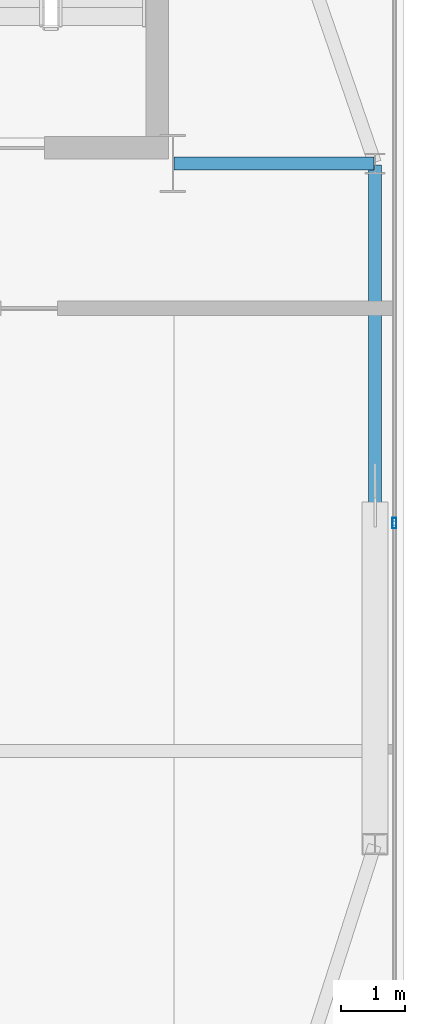
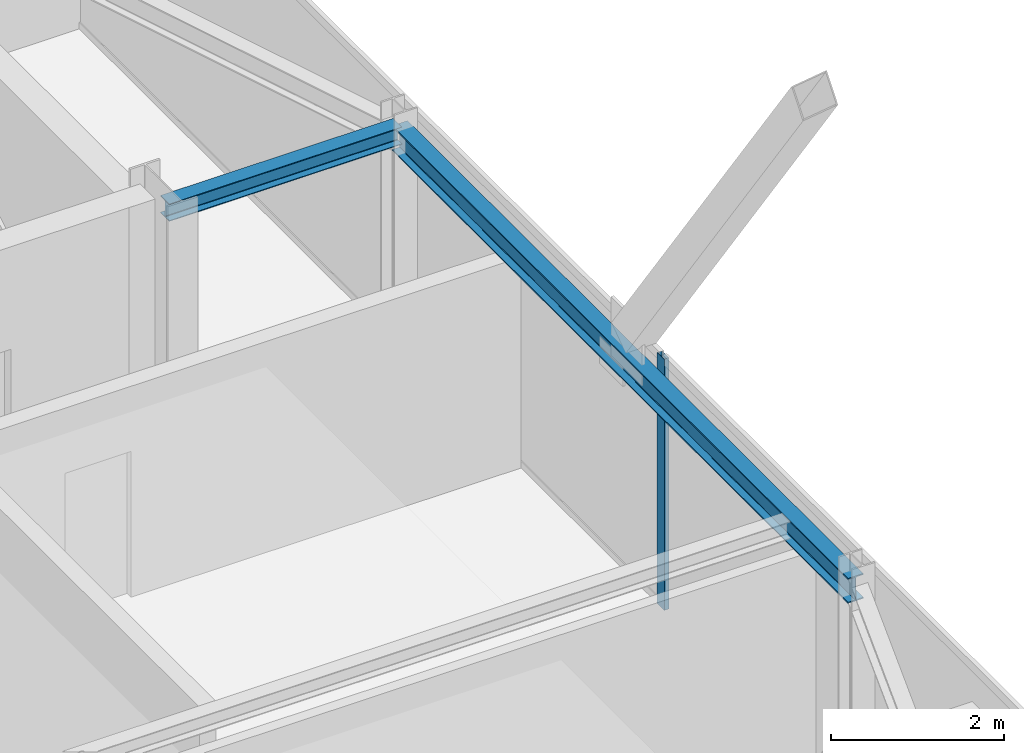
# One storey, part 16 of 24: 2 beams, 1 member, 1 element without a shape of its own.
"""IFC4 building model written with IfcOpenShell, lengths in metres."""

from ifc_helpers import new_model, si_unit, direction, frame, origin, origin_2d, place, context, subcontext, project, spatial, hollow_rectangle, i_section, extrude, source, transform, mapped, material, layer, layer_set, material_profile, profile_set, type_object, type_shapes, element, aggregate, save


model = new_model("IFC4")

# Units and contexts
model_context = context("Model", 3, precision=1e-05, world=origin(), true_north=direction((0.0, 1.0)))
body_context = subcontext(model_context, "Body", "Model", "MODEL_VIEW")
ifc_project = project(units=[si_unit("LENGTHUNIT", "METRE"), si_unit("AREAUNIT", "SQUARE_METRE"), si_unit("VOLUMEUNIT", "CUBIC_METRE"), si_unit("PLANEANGLEUNIT", "RADIAN"), si_unit("MASSUNIT", "GRAM", prefix="KILO")], contexts=[model_context])

# Site, building, storey
site_placement = place(None, origin())
site = spatial("IfcSite", under=ifc_project, at=site_placement, CompositionType="ELEMENT")
building_placement = place(site_placement, origin())
building = spatial("IfcBuilding", under=site, at=building_placement, Name="Varnel Quay Broadcast Tower", CompositionType="ELEMENT")
storey_placement = place(building_placement, frame((0.0, 0.0, 277.39990234375)))
storey = spatial("IfcBuildingStorey", under=building, at=storey_placement, Name="L69", CompositionType="ELEMENT", Elevation=277.39990234375)

# Beams
ifc_material_1 = material(Name="Structural Steel CSA G40.21 350W", Category="steel")
ifc_material_profile_1 = material_profile(ifc_material_1, i_section(OverallWidth=0.205078125, OverallDepth=0.35400390625, WebThickness=0.009521484375, FlangeThickness=0.016845703125, FilletRadius=0.012939453125, at=origin_2d()), Name="W360X79")
ifc_profile_set_1 = profile_set([ifc_material_profile_1], Name="Structural Steel CSA G40.21 350W")
beam_type_1 = type_object("IfcBeamType", Name="Beam_W360X79", PredefinedType="SPANDREL", material=ifc_profile_set_1)
shared_shape_1 = source(origin(), body_context, "Body", "SweptSolid", [
    extrude(i_section(OverallWidth=0.205078125, OverallDepth=0.35400390625, WebThickness=0.009521484375, FlangeThickness=0.016845703125, FilletRadius=0.012939453125, at=origin_2d()), origin(), (0.0, 0.0, 1.0), 10.56005859375),
])
type_shapes(beam_type_1, [shared_shape_1])
beam_1_placement = place(storey_placement, frame((55.550048828125, 25.02001953125, 3.373046875), z_axis=(0.0, 1.0, 0.0), x_axis=(-1.0, 0.0, 0.0)))
element("IfcBeam", 1, at=beam_1_placement, inside=storey, type_object=beam_type_1, Name="L69 East Spandrel TC-E1-TC-E2", PredefinedType="SPANDREL", context=body_context, shape_type="MappedRepresentation", body=[
    mapped(shared_shape_1, transform((0.0, 0.0, 0.0), x_axis=(1.0, 0.0, 0.0), y_axis=(0.0, 1.0, 0.0), z_axis=(0.0, 0.0, 1.0), scale=1.0)),
])
ifc_material_profile_2 = material_profile(ifc_material_1, i_section(OverallWidth=0.201904296875, OverallDepth=0.2470703125, WebThickness=0.00732421875, FlangeThickness=0.010986328125, FilletRadius=0.010986328125, at=origin_2d()), Name="W250X49")
ifc_profile_set_2 = profile_set([ifc_material_profile_2], Name="Structural Steel CSA G40.21 350W")
beam_type_2 = type_object("IfcBeamType", Name="Beam_W250X49", PredefinedType="JOIST", material=ifc_profile_set_2)
shared_shape_2 = source(origin(), body_context, "Body", "SweptSolid", [
    extrude(i_section(OverallWidth=0.201904296875, OverallDepth=0.2470703125, WebThickness=0.00732421875, FlangeThickness=0.010986328125, FilletRadius=0.010986328125, at=origin_2d()), origin(), (0.0, 0.0, 1.0), 3.110107421875),
])
type_shapes(beam_type_2, [shared_shape_2])
beam_2_placement = place(storey_placement, frame((52.419921875, 35.60009765625, 3.426513671875), z_axis=(1.0, 0.0, 0.0), x_axis=(0.0, 1.0, 0.0)))
element("IfcBeam", 2, at=beam_2_placement, inside=storey, type_object=beam_type_2, Name="L69 East Core Tie Joist", PredefinedType="JOIST", context=body_context, shape_type="MappedRepresentation", body=[
    mapped(shared_shape_2, transform((0.0, 0.0, 0.0), x_axis=(1.0, 0.0, 0.0), y_axis=(0.0, 1.0, 0.0), z_axis=(0.0, 0.0, 1.0), scale=1.0)),
])

# Curtain wall, member
ifc_material_2 = material(Name="Anodised Bronze Aluminium 6063-T6", Category="aluminium")
ifc_layer = layer(ifc_material_2, 0.18994140625, Name="Anodised Bronze Aluminium 6063-T6")
ifc_layer_set = layer_set([ifc_layer], Name="Anodised Bronze Aluminium 6063-T6")
curtain_wall_type = type_object("IfcCurtainWallType", Name="CW_UpperTower", PredefinedType="NOTDEFINED", material=ifc_layer_set)
curtain_wall_placement = place(storey_placement, origin())
curtain_wall = element("IfcCurtainWall", 3, at=curtain_wall_placement, inside=storey, type_object=curtain_wall_type, Name="L69 East Unitised Curtain Wall", PredefinedType="NOTDEFINED")
ifc_material_profile_3 = material_profile(ifc_material_2, hollow_rectangle(XDim=0.06494140625, YDim=0.1650390625, WallThickness=0.00341796875, at=origin_2d()), Name="ALU65X165X3.5")
ifc_profile_set_3 = profile_set([ifc_material_profile_3], Name="Anodised Bronze Aluminium 6063-T6")
member_type = type_object("IfcMemberType", Name="Mull_CWS-03", PredefinedType="MULLION", material=ifc_profile_set_3)
shared_shape_3 = source(origin(), body_context, "Body", "SweptSolid", [
    extrude(hollow_rectangle(XDim=0.06494140625, YDim=0.1650390625, WallThickness=0.00341796875, at=origin_2d()), origin(), (0.0, 0.0, 1.0), 3.550048828125),
])
type_shapes(member_type, [shared_shape_3])
member_placement = place(storey_placement, frame((55.85009765625, 30.0, 0.0), z_axis=(0.0, 0.0, 1.0), x_axis=(-1.0, 0.0, 0.0)))
member = element("IfcMember", 4, at=member_placement, type_object=member_type, Name="CWS-03 mullion 2", PredefinedType="MULLION", context=body_context, shape_type="MappedRepresentation", body=[
    mapped(shared_shape_3, transform((0.0, 0.0, 0.0), x_axis=(1.0, 0.0, 0.0), y_axis=(0.0, 1.0, 0.0), z_axis=(0.0, 0.0, 1.0), scale=1.0)),
])
aggregate(curtain_wall, [member])

save(model, "model.ifc")
